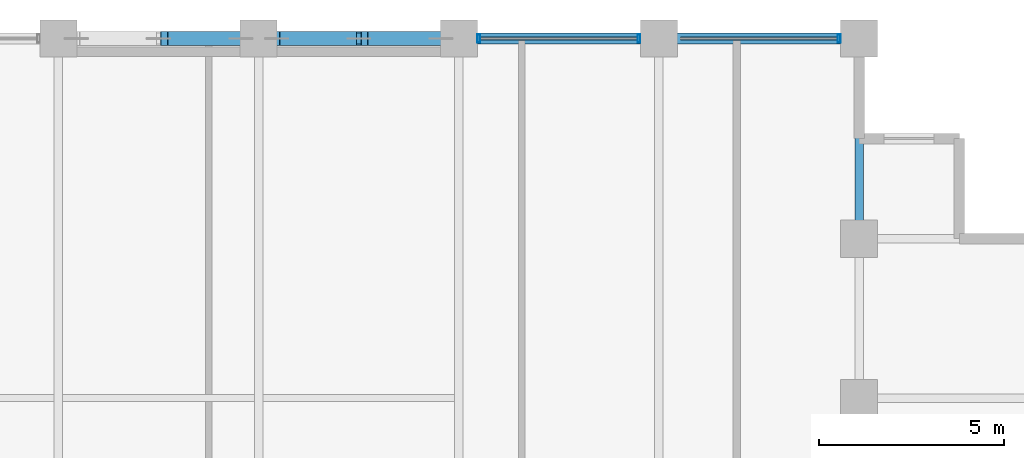
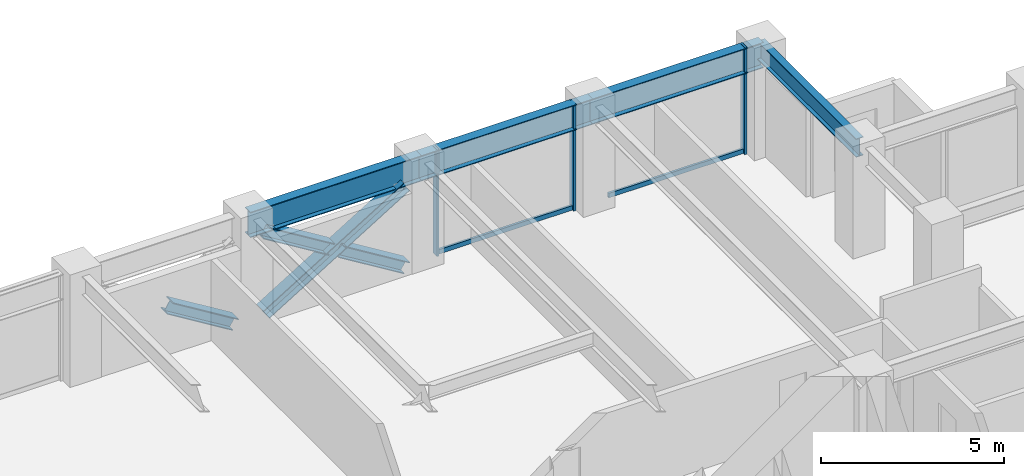
# One storey, part 16 of 25: 9 members, 4 beams, 1 element without a shape of its own.
"""IFC4 building model written with IfcOpenShell, lengths in metres."""

from ifc_helpers import new_model, si_unit, direction, frame, origin, origin_2d, place, context, subcontext, project, spatial, hollow_rectangle, i_section, extrude, material, layer, layer_set, material_profile, profile_set, type_object, element, aggregate, save


model = new_model("IFC4")

# Units and contexts
model_context = context("Model", 3, precision=1e-05, world=origin(), true_north=direction((0.0, 1.0)))
body_context = subcontext(model_context, "Body", "Model", "MODEL_VIEW")
ifc_project = project(units=[si_unit("LENGTHUNIT", "METRE"), si_unit("AREAUNIT", "SQUARE_METRE"), si_unit("VOLUMEUNIT", "CUBIC_METRE"), si_unit("PLANEANGLEUNIT", "RADIAN"), si_unit("MASSUNIT", "GRAM", prefix="KILO")], contexts=[model_context])

# Site, building, storey
site_placement = place(None, origin())
site = spatial("IfcSite", under=ifc_project, at=site_placement, CompositionType="ELEMENT")
building_placement = place(site_placement, origin())
building = spatial("IfcBuilding", under=site, at=building_placement, Name="Surkhivell Harbour Commons", CompositionType="ELEMENT")
storey_placement = place(building_placement, frame((0.0, 0.0, 139.5)))
storey = spatial("IfcBuildingStorey", under=building, at=storey_placement, Name="L36", CompositionType="ELEMENT", Elevation=139.5)

# Beams
ifc_material_1 = material(Name="Steel S355", Category="steel")
ifc_material_profile_1 = material_profile(ifc_material_1, i_section(OverallWidth=0.22998046875, OverallDepth=0.616943359375, WebThickness=0.01318359375, FlangeThickness=0.022216796875, at=origin_2d()), Name="UB610x229x140")
ifc_profile_set_1 = profile_set([ifc_material_profile_1], Name="Steel S355")
beam_type_1 = type_object("IfcBeamType", Name="BM-GRD-610B", PredefinedType="BEAM", material=ifc_profile_set_1)
beam_1_placement = place(storey_placement, frame((16.199951171875, 20.5, 3.261474609375), z_axis=(0.0, 1.0, 0.0), x_axis=(-1.0, 0.0, 0.0)))
element("IfcBeam", 1, at=beam_1_placement, inside=storey, type_object=beam_type_1, Name="L36 Floor Girder (16.2,20.5)", PredefinedType="BEAM", context=body_context, shape_type="SweptSolid", body=[
    extrude(i_section(OverallWidth=0.22998046875, OverallDepth=0.616943359375, WebThickness=0.01318359375, FlangeThickness=0.022216796875, at=origin_2d()), origin(), (0.0, 0.0, 1.0), 5.39990234375),
])
ifc_material_2 = material(Name="Steel S460", Category="steel")
ifc_material_profile_2 = material_profile(ifc_material_2, i_section(OverallWidth=0.2939453125, OverallDepth=0.85107421875, WebThickness=0.01611328125, FlangeThickness=0.02685546875, at=origin_2d()), Name="UB838x292x226")
ifc_profile_set_2 = profile_set([ifc_material_profile_2], Name="Steel S460")
beam_type_2 = type_object("IfcBeamType", Name="BM-SPN-838", PredefinedType="SPANDREL", material=ifc_profile_set_2)
beam_2_placement = place(storey_placement, frame((0.0, 25.89990234375, 3.14453125), z_axis=(1.0, 0.0, 0.0), x_axis=(0.0, 1.0, 0.0)))
element("IfcBeam", 2, at=beam_2_placement, inside=storey, type_object=beam_type_2, Name="L36 Tube Spandrel (-0.0,25.9)", PredefinedType="SPANDREL", context=body_context, shape_type="SweptSolid", body=[
    extrude(i_section(OverallWidth=0.2939453125, OverallDepth=0.85107421875, WebThickness=0.01611328125, FlangeThickness=0.02685546875, at=origin_2d()), origin(), (0.0, 0.0, 1.0), 5.39990234375),
])
beam_3_placement = place(storey_placement, frame((5.39990234375, 25.89990234375, 3.14453125), z_axis=(1.0, 0.0, 0.0), x_axis=(0.0, 1.0, 0.0)))
element("IfcBeam", 3, at=beam_3_placement, inside=storey, type_object=beam_type_2, Name="L36 Tube Spandrel (5.4,25.9)", PredefinedType="SPANDREL", context=body_context, shape_type="SweptSolid", body=[
    extrude(i_section(OverallWidth=0.2939453125, OverallDepth=0.85107421875, WebThickness=0.01611328125, FlangeThickness=0.02685546875, at=origin_2d()), origin(), (0.0, 0.0, 1.0), 5.400146484375),
])
beam_4_placement = place(storey_placement, frame((10.800048828125, 25.89990234375, 3.14453125), z_axis=(1.0, 0.0, 0.0), x_axis=(0.0, 1.0, 0.0)))
element("IfcBeam", 4, at=beam_4_placement, inside=storey, type_object=beam_type_2, Name="L36 Tube Spandrel (10.8,25.9)", PredefinedType="SPANDREL", context=body_context, shape_type="SweptSolid", body=[
    extrude(i_section(OverallWidth=0.2939453125, OverallDepth=0.85107421875, WebThickness=0.01611328125, FlangeThickness=0.02685546875, at=origin_2d()), origin(), (0.0, 0.0, 1.0), 5.39990234375),
])

# Curtain wall, members
ifc_material_3 = material(Name="Anodised pale-metal aluminium and insulated glazing", Category="aluminium")
ifc_layer = layer(ifc_material_3, 0.205078125)
ifc_layer_set = layer_set([ifc_layer], Name="Anodised pale-metal aluminium and insulated glazing")
curtain_wall_type = type_object("IfcCurtainWallType", Name="CW-SYS-Z2", PredefinedType="NOTDEFINED", material=ifc_layer_set)
curtain_wall_placement = place(storey_placement, origin())
curtain_wall = element("IfcCurtainWall", 5, at=curtain_wall_placement, inside=storey, type_object=curtain_wall_type, Name="L36 Curtain Wall CW-L36-E07S1", PredefinedType="NOTDEFINED")
ifc_material_4 = material(Name="Anodised pale-metal aluminium alloy 6063-T6", Category="aluminium")
ifc_material_profile_3 = material_profile(ifc_material_4, hollow_rectangle(XDim=0.074951171875, YDim=0.219970703125, WallThickness=0.00390625, at=origin_2d()), Name="ALU-MULL-75x220")
ifc_profile_set_3 = profile_set([ifc_material_profile_3], Name="Anodised pale-metal aluminium alloy 6063-T6")
member_type_1 = type_object("IfcMemberType", Name="CWM-220", PredefinedType="MULLION", material=ifc_profile_set_3)
member_1_placement = place(storey_placement, frame((15.660400390625, 25.89990234375, 0.0), z_axis=(0.0, 0.0, 1.0), x_axis=(-1.0, 0.0, 0.0)))
member_1 = element("IfcMember", 6, at=member_1_placement, type_object=member_type_1, Name="CW-Z2 mullion 1", PredefinedType="MULLION", context=body_context, shape_type="SweptSolid", body=[
    extrude(hollow_rectangle(XDim=0.074951171875, YDim=0.219970703125, WallThickness=0.00390625, at=origin_2d()), origin(), (0.0, 0.0, 1.0), 3.570068359375),
])
member_2_placement = place(storey_placement, frame((10.260498046875, 25.89990234375, 0.0), z_axis=(0.0, 0.0, 1.0), x_axis=(-1.0, 0.0, 0.0)))
member_2 = element("IfcMember", 7, at=member_2_placement, type_object=member_type_1, Name="CW-Z2 mullion 2", PredefinedType="MULLION", context=body_context, shape_type="SweptSolid", body=[
    extrude(hollow_rectangle(XDim=0.074951171875, YDim=0.219970703125, WallThickness=0.00390625, at=origin_2d()), origin(), (0.0, 0.0, 1.0), 3.570068359375),
])
member_3_placement = place(storey_placement, frame((5.939453125, 25.89990234375, 0.0), z_axis=(0.0, 0.0, 1.0), x_axis=(-1.0, 0.0, 0.0)))
member_3 = element("IfcMember", 8, at=member_3_placement, type_object=member_type_1, Name="CW-Z2 mullion 3", PredefinedType="MULLION", context=body_context, shape_type="SweptSolid", body=[
    extrude(hollow_rectangle(XDim=0.074951171875, YDim=0.219970703125, WallThickness=0.00390625, at=origin_2d()), origin(), (0.0, 0.0, 1.0), 3.570068359375),
])
ifc_material_profile_4 = material_profile(ifc_material_4, hollow_rectangle(XDim=0.074951171875, YDim=0.14990234375, WallThickness=0.00341796875, at=origin_2d()), Name="ALU-TRAN-75x150")
ifc_profile_set_4 = profile_set([ifc_material_profile_4], Name="Anodised pale-metal aluminium alloy 6063-T6")
member_type_2 = type_object("IfcMemberType", Name="CWT-150", PredefinedType="USERDEFINED", material=ifc_profile_set_4)
member_4_placement = place(storey_placement, frame((15.623046875, 25.89990234375, 0.074951171875), z_axis=(-1.0, 0.0, 0.0), x_axis=(0.0, -1.0, 0.0)))
member_4 = element("IfcMember", 9, at=member_4_placement, type_object=member_type_2, Name="CW-Z2 transom 1.1", ObjectType="TRANSOM", PredefinedType="USERDEFINED", context=body_context, shape_type="SweptSolid", body=[
    extrude(hollow_rectangle(XDim=0.074951171875, YDim=0.14990234375, WallThickness=0.00341796875, at=origin_2d()), origin(), (0.0, 0.0, 1.0), 4.24609375),
])
member_5_placement = place(storey_placement, frame((10.222900390625, 25.89990234375, 0.074951171875), z_axis=(-1.0, 0.0, 0.0), x_axis=(0.0, -1.0, 0.0)))
member_5 = element("IfcMember", 10, at=member_5_placement, type_object=member_type_2, Name="CW-Z2 transom 2.1", ObjectType="TRANSOM", PredefinedType="USERDEFINED", context=body_context, shape_type="SweptSolid", body=[
    extrude(hollow_rectangle(XDim=0.074951171875, YDim=0.14990234375, WallThickness=0.00341796875, at=origin_2d()), origin(), (0.0, 0.0, 1.0), 4.245849609375),
])
aggregate(curtain_wall, [member_1, member_4, member_2, member_3, member_5])

# Members
ifc_material_profile_5 = material_profile(ifc_material_2, i_section(OverallWidth=0.375, OverallDepth=0.375, WebThickness=0.0166015625, FlangeThickness=0.027099609375, at=origin_2d()), Name="UC356x368x202")
ifc_profile_set_5 = profile_set([ifc_material_profile_5], Name="Steel S460")
member_type_3 = type_object("IfcMemberType", Name="MEM-BRC-UC356", PredefinedType="BRACE", material=ifc_profile_set_5)
member_6_placement = place(storey_placement, frame((-0.485107421875, 25.89990234375, 0.008056640625), z_axis=(-0.852589641581, 0.0, 0.522581001443), x_axis=(0.0, -1.0, 0.0)))
element("IfcMember", 11, at=member_6_placement, inside=storey, type_object=member_type_3, Name="L36 Perimeter Mega-Brace MB- 02", PredefinedType="BRACE", context=body_context, shape_type="SweptSolid", body=[
    extrude(i_section(OverallWidth=0.375, OverallDepth=0.375, WebThickness=0.0166015625, FlangeThickness=0.027099609375, at=origin_2d()), origin(), (0.0, 0.0, 1.0), 2.417724609375),
])
member_7_placement = place(storey_placement, frame((0.485107421875, 25.89990234375, 0.008056640625), z_axis=(0.852624888477, 0.0, 0.522523491864), x_axis=(0.0, 1.0, 0.0)))
element("IfcMember", 12, at=member_7_placement, inside=storey, type_object=member_type_3, Name="L36 Perimeter Mega-Brace MB- 04", PredefinedType="BRACE", context=body_context, shape_type="SweptSolid", body=[
    extrude(i_section(OverallWidth=0.375, OverallDepth=0.375, WebThickness=0.0166015625, FlangeThickness=0.027099609375, at=origin_2d()), origin(), (0.0, 0.0, 1.0), 5.195556640625),
])
member_8_placement = place(storey_placement, frame((4.9150390625, 25.89990234375, 0.008056640625), z_axis=(-0.852617215241, 0.0, 0.52253601242), x_axis=(0.0, -1.0, 0.0)))
element("IfcMember", 13, at=member_8_placement, inside=storey, type_object=member_type_3, Name="L36 Perimeter Mega-Brace MB- 05", PredefinedType="BRACE", context=body_context, shape_type="SweptSolid", body=[
    extrude(i_section(OverallWidth=0.375, OverallDepth=0.375, WebThickness=0.0166015625, FlangeThickness=0.027099609375, at=origin_2d()), origin(), (0.0, 0.0, 1.0), 2.41796875),
])
member_9_placement = place(storey_placement, frame((2.54638671875, 25.89990234375, 1.459716796875), z_axis=(-0.852634632964, 0.0, 0.522507591017), x_axis=(0.0, -1.0, 0.0)))
element("IfcMember", 14, at=member_9_placement, inside=storey, type_object=member_type_3, Name="L36 Perimeter Mega-Brace MB- 06", PredefinedType="BRACE", context=body_context, shape_type="SweptSolid", body=[
    extrude(i_section(OverallWidth=0.375, OverallDepth=0.375, WebThickness=0.0166015625, FlangeThickness=0.027099609375, at=origin_2d()), origin(), (0.0, 0.0, 1.0), 2.41748046875),
])

save(model, "model.ifc")
